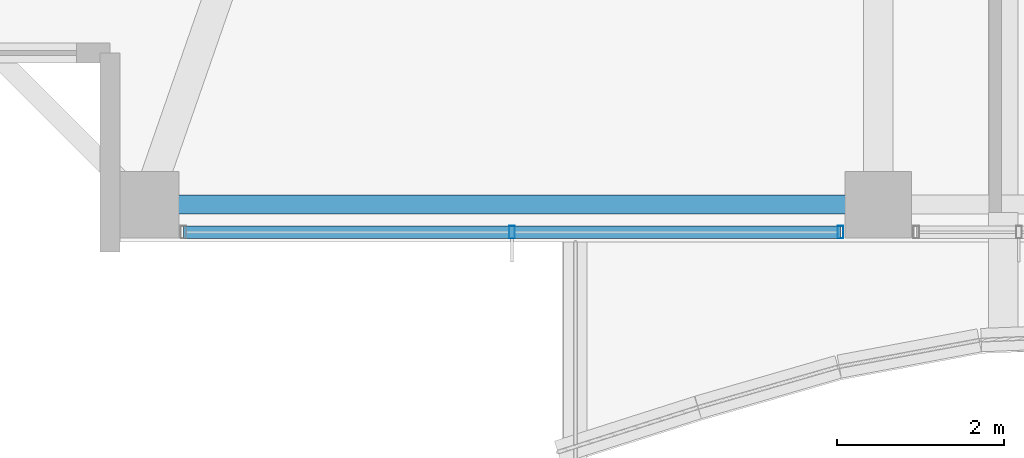
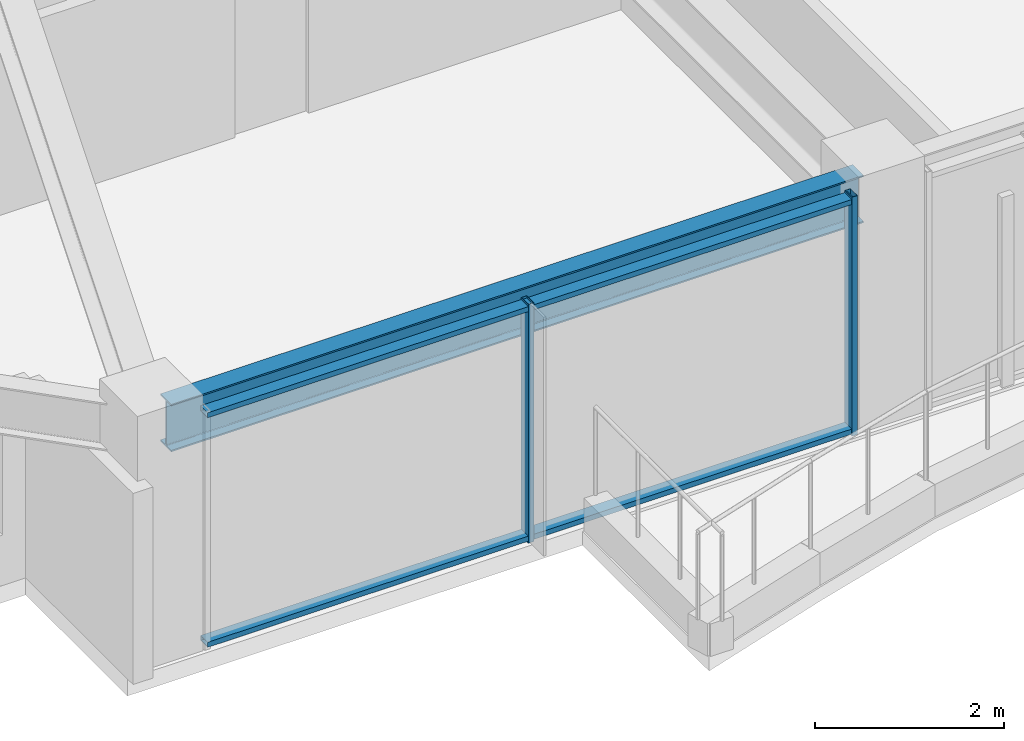
# One storey, part 3 of 36: 4 members, 1 beam, 1 element without a shape of its own.
"""IFC4 building model written with IfcOpenShell, lengths in metres."""

from ifc_helpers import new_model, si_unit, direction, frame, origin, origin_2d, place, context, subcontext, project, spatial, hollow_rectangle, i_section, extrude, material, material_profile, profile_set, type_object, element, aggregate, save


model = new_model("IFC4")

# Units and contexts
model_context = context("Model", 3, precision=1e-05, world=origin(), true_north=direction((0.0, 1.0)))
body_context = subcontext(model_context, "Body", "Model", "MODEL_VIEW")
ifc_project = project(units=[si_unit("LENGTHUNIT", "METRE"), si_unit("AREAUNIT", "SQUARE_METRE"), si_unit("VOLUMEUNIT", "CUBIC_METRE"), si_unit("PLANEANGLEUNIT", "RADIAN"), si_unit("MASSUNIT", "GRAM", prefix="KILO")], contexts=[model_context])

# Site, building, storey
site_placement = place(None, origin())
site = spatial("IfcSite", under=ifc_project, at=site_placement, CompositionType="ELEMENT")
building_placement = place(site_placement, origin())
building = spatial("IfcBuilding", under=site, at=building_placement, Name="Kolvaren Belvedere", CompositionType="ELEMENT")
storey_placement = place(building_placement, frame((0.0, 0.0, 199.800048828125)))
storey = spatial("IfcBuildingStorey", under=building, at=storey_placement, Name="L58", CompositionType="ELEMENT", Elevation=199.800048828125)

# Beam
ifc_material_1 = material(Name="Structural steel ASTM A992 Grade 50", Category="steel")
ifc_material_profile_1 = material_profile(ifc_material_1, i_section(OverallWidth=0.22900390625, OverallDepth=0.612060546875, WebThickness=0.011962890625, FlangeThickness=0.01953125, FilletRadius=0.01806640625, at=origin_2d()), Name="W24X84")
ifc_profile_set_1 = profile_set([ifc_material_profile_1], Name="Structural steel ASTM A992 Grade 50")
beam_type = type_object("IfcBeamType", Name="BM-SPAN-W24X84", PredefinedType="SPANDREL", material=ifc_profile_set_1)
beam_placement = place(storey_placement, frame((-13.219970703125, -19.949951171875, 2.77392578125), z_axis=(1.0, 0.0, 0.0), x_axis=(0.0, 1.0, 0.0)))
element("IfcBeam", 1, at=beam_placement, inside=storey, type_object=beam_type, Name="L58 Perimeter Spandrel S1-S2", PredefinedType="SPANDREL", context=body_context, shape_type="SweptSolid", body=[
    extrude(i_section(OverallWidth=0.22900390625, OverallDepth=0.612060546875, WebThickness=0.011962890625, FlangeThickness=0.01953125, FilletRadius=0.01806640625, at=origin_2d()), origin(), (0.0, 0.0, 1.0), 8.43994140625),
])

# Curtain wall, members
ifc_material_2 = material(Name="Anodised pale-metal aluminium AA 6063-T6", Category="aluminium")
curtain_wall_type = type_object("IfcCurtainWallType", Name="CW-Z5-HIGH", PredefinedType="NOTDEFINED", material=ifc_material_2)
curtain_wall_placement = place(storey_placement, origin())
curtain_wall = element("IfcCurtainWall", 2, at=curtain_wall_placement, inside=storey, type_object=curtain_wall_type, Name="L58 Unitised Curtain Wall FCW-L58-S2-B2", PredefinedType="NOTDEFINED")
ifc_material_3 = material(Name="Anodised pale-metal aluminium AA 6063-T6", Category="aluminium")
ifc_material_profile_2 = material_profile(ifc_material_3, hollow_rectangle(XDim=0.070068359375, YDim=0.14990234375, WallThickness=0.004150390625, at=origin_2d()), Name="ALU-MUL-150X70")
ifc_profile_set_2 = profile_set([ifc_material_profile_2], Name="Anodised pale-metal aluminium AA 6063-T6")
member_type_1 = type_object("IfcMemberType", Name="CW-MUL-150", PredefinedType="MULLION", material=ifc_profile_set_2)
member_1_placement = place(storey_placement, frame((-5.054931640625, -20.280029296875, 0.0), z_axis=(0.0, 0.0, 1.0), x_axis=(1.0, 0.0, 0.0)))
member_1 = element("IfcMember", 3, at=member_1_placement, type_object=member_type_1, Name="FCW-L58-S2-B2 Unitised Mullion 1", PredefinedType="MULLION", context=body_context, shape_type="SweptSolid", body=[
    extrude(hollow_rectangle(XDim=0.070068359375, YDim=0.14990234375, WallThickness=0.004150390625, at=origin_2d()), origin(), (0.0, 0.0, 1.0), 3.079833984375),
])
member_2_placement = place(storey_placement, frame((-9.0, -20.280029296875, 0.0), z_axis=(0.0, 0.0, 1.0), x_axis=(1.0, 0.0, 0.0)))
member_2 = element("IfcMember", 4, at=member_2_placement, type_object=member_type_1, Name="FCW-L58-S2-B2 Unitised Mullion 2", PredefinedType="MULLION", context=body_context, shape_type="SweptSolid", body=[
    extrude(hollow_rectangle(XDim=0.070068359375, YDim=0.14990234375, WallThickness=0.004150390625, at=origin_2d()), origin(), (0.0, 0.0, 1.0), 3.079833984375),
])
ifc_material_4 = material(Name="Anodised pale-metal aluminium AA 6063-T6", Category="aluminium")
ifc_material_profile_3 = material_profile(ifc_material_4, hollow_rectangle(XDim=0.06494140625, YDim=0.14990234375, WallThickness=0.00390625, at=origin_2d()), Name="ALU-TRN-150X65")
ifc_profile_set_3 = profile_set([ifc_material_profile_3], Name="Anodised pale-metal aluminium AA 6063-T6")
member_type_2 = type_object("IfcMemberType", Name="CW-TRN-150", PredefinedType="USERDEFINED", material=ifc_profile_set_3)
member_3_placement = place(storey_placement, frame((-5.054931640625, -20.280029296875, 0.06005859375), z_axis=(-1.0, 0.0, 0.0), x_axis=(0.0, 0.0, 1.0)))
member_3 = element("IfcMember", 5, at=member_3_placement, type_object=member_type_2, Name="FCW-L58-S2-B2 Sill Transom", ObjectType="TRANSOM", PredefinedType="USERDEFINED", context=body_context, shape_type="SweptSolid", body=[
    extrude(hollow_rectangle(XDim=0.06494140625, YDim=0.14990234375, WallThickness=0.00390625, at=origin_2d()), origin(), (0.0, 0.0, 1.0), 7.89013671875),
])
member_4_placement = place(storey_placement, frame((-5.054931640625, -20.280029296875, 3.02001953125), z_axis=(-1.0, 0.0, 0.0), x_axis=(0.0, 0.0, 1.0)))
member_4 = element("IfcMember", 6, at=member_4_placement, type_object=member_type_2, Name="FCW-L58-S2-B2 Head Transom", ObjectType="TRANSOM", PredefinedType="USERDEFINED", context=body_context, shape_type="SweptSolid", body=[
    extrude(hollow_rectangle(XDim=0.06494140625, YDim=0.14990234375, WallThickness=0.00390625, at=origin_2d()), origin(), (0.0, 0.0, 1.0), 7.89013671875),
])
aggregate(curtain_wall, [member_1, member_2, member_3, member_4])

save(model, "model.ifc")
